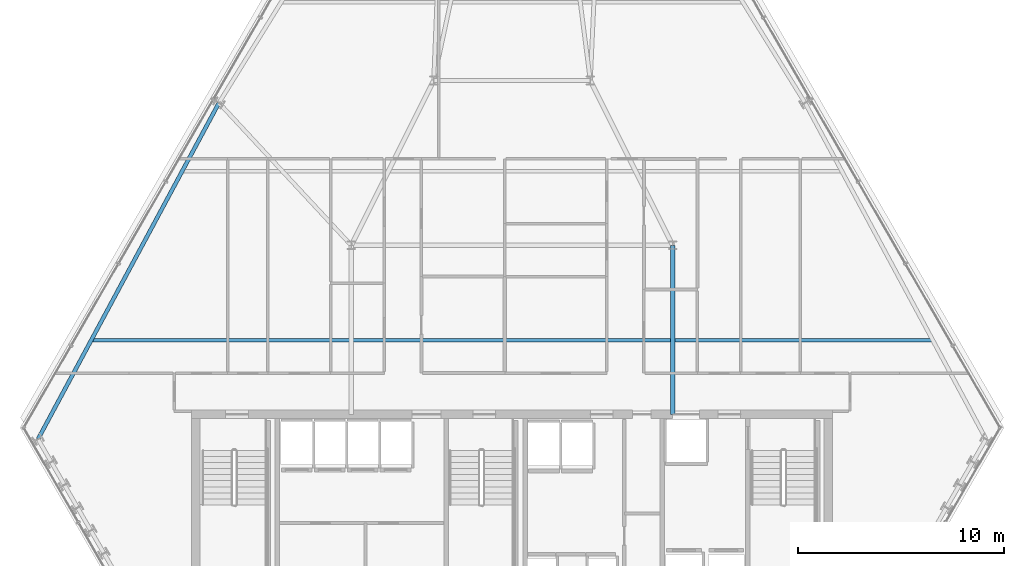
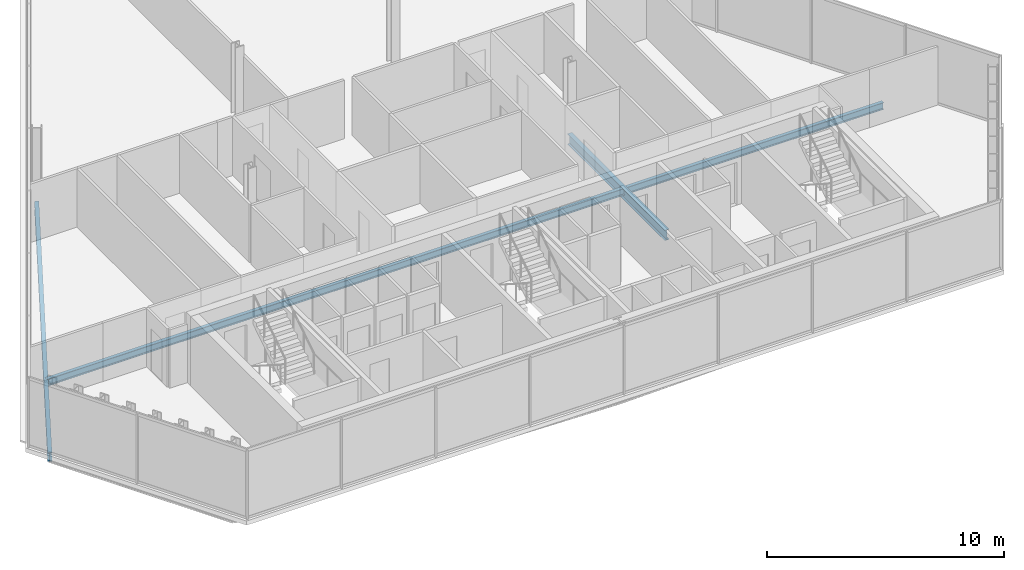
# One storey, part 10 of 33: 3 beams.
"""IFC4 building model written with IfcOpenShell, lengths in metres."""

import ifcopenshell
import ifcopenshell.guid

model = None  # the IFC model being written
_history = None  # IfcOwnerHistory: only IFC2X3 demands one
_inside = {}  # id of a spatial element -> (the spatial element, [elements in it])
_under = {}  # id of a project, library or spatial element -> (it, [spatial elements below it])
_declared = {}  # id of a project -> (the project, [libraries it declares])
_typed = {}  # id of a type object -> (the type object, [elements of that type])
_made_of = {}  # id of a material, layer set ... -> (it, [elements and type objects made of it])


def new_model(schema):
    """Start an empty IFC model of exactly this schema.

    Asked for "IFC4X3", IfcOpenShell would pick the latest addendum, in which some entities
    have other attributes; the version numbers below select the first issue.
    IFC2X3 requires an IfcOwnerHistory on every rooted entity: one is made here for all.
    """
    global model, _history
    if schema == "IFC4X3":
        model = ifcopenshell.file(schema_version=(4, 3, 0, 0))
    else:
        model = ifcopenshell.file(schema=schema)
    _inside.clear()
    _under.clear()
    _declared.clear()
    _typed.clear()
    _made_of.clear()
    _history = None
    if model.schema == "IFC2X3":
        org = make("IfcOrganization", Name="unknown")
        user = make(
            "IfcPersonAndOrganization",
            ThePerson=make("IfcPerson", FamilyName="unknown"),
            TheOrganization=org,
        )
        app = make(
            "IfcApplication",
            ApplicationDeveloper=org,
            Version="unknown",
            ApplicationFullName="unknown",
            ApplicationIdentifier="unknown",
        )
        _history = make(
            "IfcOwnerHistory",
            OwningUser=user,
            OwningApplication=app,
            ChangeAction="ADDED",
            CreationDate=0,
        )
    return model


def make(cls, **values):
    """One entity of the class cls with the attributes given. An attribute that is None is left unset."""
    return model.create_entity(
        cls, **{name: value for name, value in values.items() if value is not None}
    )


def rooted(cls, **values):
    """An entity with a GlobalId (a new one), such as an element, a storey or a relation."""
    return make(cls, GlobalId=ifcopenshell.guid.new(), OwnerHistory=_history, **values)


def si_unit(unit_type, name, prefix=None):
    """IfcSIUnit, for example si_unit("LENGTHUNIT", "METRE", prefix="MILLI")."""
    return make("IfcSIUnit", UnitType=unit_type, Prefix=prefix, Name=name)


def assignment(units):
    """IfcUnitAssignment: the units of a project."""
    return None if units is None else make("IfcUnitAssignment", Units=units)


def point(xyz):
    """IfcCartesianPoint."""
    return None if xyz is None else make("IfcCartesianPoint", Coordinates=xyz)


def direction(xyz):
    """IfcDirection."""
    return None if xyz is None else make("IfcDirection", DirectionRatios=xyz)


def frame(location, z_axis=None, x_axis=None):
    """IfcAxis2Placement3D, a coordinate frame: its origin and axes. An axis left out is left unset."""
    return make(
        "IfcAxis2Placement3D",
        Location=point(location),
        Axis=direction(z_axis),
        RefDirection=direction(x_axis),
    )


def frame_2d(location, x_axis=None):
    """IfcAxis2Placement2D, a coordinate frame in the plane: its origin and x axis."""
    return make(
        "IfcAxis2Placement2D", Location=point(location), RefDirection=direction(x_axis)
    )


def origin():
    """The frame at (0, 0, 0) with its axes left unset."""
    return frame((0.0, 0.0, 0.0))


def origin_2d():
    """The frame at (0, 0) in the plane with its x axis left unset."""
    return frame_2d((0.0, 0.0))


def place(relative_to, where):
    """IfcLocalPlacement: puts the frame where relative to a parent placement (None: the world)."""
    return make(
        "IfcLocalPlacement", PlacementRelTo=relative_to, RelativePlacement=where
    )


def context(
    kind, dimensions, precision=None, world=None, true_north=None, identifier=None
):
    """IfcGeometricRepresentationContext, for example the 3D "Model" context."""
    return make(
        "IfcGeometricRepresentationContext",
        ContextIdentifier=identifier,
        ContextType=kind,
        CoordinateSpaceDimension=dimensions,
        Precision=precision,
        WorldCoordinateSystem=world,
        TrueNorth=true_north,
    )


def subcontext(parent, identifier, kind, view, scale=None):
    """IfcGeometricRepresentationSubContext, for example "Body" below "Model"."""
    return make(
        "IfcGeometricRepresentationSubContext",
        ContextIdentifier=identifier,
        ContextType=kind,
        ParentContext=parent,
        TargetScale=scale,
        TargetView=view,
    )


def project(units=None, contexts=None):
    """IfcProject with its units and contexts."""
    return rooted(
        "IfcProject",
        Name="project",
        RepresentationContexts=contexts,
        UnitsInContext=assignment(units),
    )


def spatial(cls, under=None, at=None, **own):
    """A site, building, storey or space (cls), placed at a placement, below another one or the project."""
    s = rooted(cls, ObjectPlacement=at, **own)
    if under is not None:
        _under.setdefault(under.id(), (under, []))[1].append(s)
    return s


def profile(cls, at=None, kind="AREA", **sizes):
    """A parametric profile (cls). Its sizes go by their IFC names, for example OverallWidth=200.0."""
    return make(cls, ProfileType=kind, Position=at, **sizes)


def i_section(**sizes):
    """IfcIShapeProfileDef."""
    return profile("IfcIShapeProfileDef", **sizes)


def extrude(swept, where, along, depth):
    """IfcExtrudedAreaSolid: the profile swept, set in the frame where, extruded along a direction by depth."""
    return make(
        "IfcExtrudedAreaSolid",
        SweptArea=swept,
        Position=where,
        ExtrudedDirection=direction(along),
        Depth=depth,
    )


def shape(context_of_items, identifier, shape_type, items):
    """IfcShapeRepresentation: the items that make up one representation, for example the "Body"."""
    return make(
        "IfcShapeRepresentation",
        ContextOfItems=context_of_items,
        RepresentationIdentifier=identifier,
        RepresentationType=shape_type,
        Items=items,
    )


def material(Name=None, Category=None):
    """IfcMaterial."""
    return make("IfcMaterial", Name=Name, Category=Category)


def material_profile(
    of_material, cross_section, Name=None, Category=None, Priority=None
):
    """IfcMaterialProfile: a cross section and its material."""
    return make(
        "IfcMaterialProfile",
        Name=Name,
        Material=of_material,
        Profile=cross_section,
        Priority=Priority,
        Category=Category,
    )


def profile_set(profiles, Name=None, composite=None):
    """IfcMaterialProfileSet."""
    return make(
        "IfcMaterialProfileSet",
        Name=Name,
        MaterialProfiles=profiles,
        CompositeProfile=composite,
    )


def made_of(thing, what):
    """Note that an element or type object is made of a material, layer set ...; save() writes the relation."""
    if what is not None:
        _made_of.setdefault(what.id(), (what, []))[1].append(thing)
    return thing


def type_object(cls, material=None, **own):
    """A type object (cls), such as IfcWallType, which elements share."""
    return made_of(rooted(cls, **own), material)


def element(
    cls,
    number,
    at=None,
    inside=None,
    cuts=None,
    type_object=None,
    material=None,
    context=None,
    identifier="Body",
    shape_type=None,
    held_by="IfcProductDefinitionShape",
    body=None,
    shapes=None,
    **own,
):
    """One element of the class cls, such as IfcWall. Its Tag is "e" and its number.

    at: its placement. inside: the storey or other place that contains it. cuts: it is an
    opening in that element (IfcRelVoidsElement). A single representation is given by context,
    identifier, shape_type and body (its items); several are given by shapes. held_by: the class
    of the entity that holds the representations. save() writes the other relations.
    """
    e = rooted(cls, Tag="e%d" % number, ObjectPlacement=at, **own)
    if body is not None:
        shapes = [shape(context, identifier, shape_type, body)]
    if shapes is not None:
        e.Representation = make(held_by, Representations=shapes)
    if inside is not None:
        _inside.setdefault(inside.id(), (inside, []))[1].append(e)
    if cuts is not None:
        rooted(
            "IfcRelVoidsElement", RelatingBuildingElement=cuts, RelatedOpeningElement=e
        )
    if type_object is not None:
        _typed.setdefault(type_object.id(), (type_object, []))[1].append(e)
    return made_of(e, material)


def aggregate(whole, parts):
    """IfcRelAggregates: a whole, such as a stair, and the parts it consists of."""
    return rooted("IfcRelAggregates", RelatingObject=whole, RelatedObjects=parts)


def save(model, path):
    """Write the relations noted so far, then the file.

    IfcRelAggregates (storeys below a building ...), IfcRelContainedInSpatialStructure (elements
    in a storey), IfcRelDefinesByType, IfcRelAssociatesMaterial and IfcRelDeclares: one each for
    every whole, place, type object, material and project.
    """
    for whole, parts in _under.values():
        aggregate(whole, parts)
    for where, things in _inside.values():
        rooted(
            "IfcRelContainedInSpatialStructure",
            RelatedElements=things,
            RelatingStructure=where,
        )
    for kind, things in _typed.values():
        rooted("IfcRelDefinesByType", RelatedObjects=things, RelatingType=kind)
    for what, things in _made_of.values():
        rooted("IfcRelAssociatesMaterial", RelatedObjects=things, RelatingMaterial=what)
    for by, libraries in _declared.values():
        rooted("IfcRelDeclares", RelatingContext=by, RelatedDefinitions=libraries)
    model.write(path)


model = new_model("IFC4")

# Units and contexts
model_context = context("Model", 3, precision=1e-05, world=origin(), true_north=direction((0.0, 1.0)))
body_context = subcontext(model_context, "Body", "Model", "MODEL_VIEW")
ifc_project = project(units=[si_unit("LENGTHUNIT", "METRE"), si_unit("AREAUNIT", "SQUARE_METRE"), si_unit("VOLUMEUNIT", "CUBIC_METRE"), si_unit("PLANEANGLEUNIT", "RADIAN"), si_unit("MASSUNIT", "GRAM", prefix="KILO")], contexts=[model_context])

# Site, building, storey
site_placement = place(None, origin())
site = spatial("IfcSite", under=ifc_project, at=site_placement, CompositionType="ELEMENT")
building_placement = place(site_placement, origin())
building = spatial("IfcBuilding", under=site, at=building_placement, Name="Ndaravel Arena Tower", CompositionType="ELEMENT")
storey_placement = place(building_placement, frame((0.0, 0.0, 161.199951171875)))
storey = spatial("IfcBuildingStorey", under=building, at=storey_placement, Name="L38", CompositionType="ELEMENT", Elevation=161.199951171875)

# Beams
ifc_material_1 = material(Name="Steel S355", Category="steel")
ifc_material_profile_1 = material_profile(ifc_material_1, i_section(OverallWidth=0.210693359375, OverallDepth=0.53955078125, WebThickness=0.01171875, FlangeThickness=0.018798828125, FilletRadius=0.0126953125, at=origin_2d()), Name="UB 533x210x109")
ifc_profile_set_1 = profile_set([ifc_material_profile_1], Name="Steel S355")
beam_type_1 = type_object("IfcBeamType", Name="BM-GIRD-UB533", PredefinedType="BEAM", material=ifc_profile_set_1)
beam_1_placement = place(storey_placement, frame((49.800048828125, 14.97998046875, -0.48974609375), z_axis=(0.0, 1.0, 0.0), x_axis=(-1.0, 0.0, 0.0)))
element("IfcBeam", 1, at=beam_1_placement, inside=storey, type_object=beam_type_1, Name="L38 Spine Link Girder SLG-02", PredefinedType="BEAM", context=body_context, shape_type="SweptSolid", body=[
    extrude(i_section(OverallWidth=0.210693359375, OverallDepth=0.53955078125, WebThickness=0.01171875, FlangeThickness=0.018798828125, FilletRadius=0.0126953125, at=origin_2d()), origin(), (0.0, 0.0, 1.0), 8.219970703125),
])
ifc_material_2 = material(Name="Steel S355", Category="steel")
ifc_material_profile_2 = material_profile(ifc_material_2, i_section(OverallWidth=0.172119140625, OverallDepth=0.35791015625, WebThickness=0.008056640625, FlangeThickness=0.012939453125, FilletRadius=0.01025390625, at=origin_2d()), Name="UB 356x171x57")
ifc_profile_set_2 = profile_set([ifc_material_profile_2], Name="Steel S355")
beam_type_2 = type_object("IfcBeamType", Name="BM-JOIST-UB356", PredefinedType="JOIST", material=ifc_profile_set_2)
beam_2_placement = place(storey_placement, frame((21.580322265625, 18.60009765625, -0.39892578125), z_axis=(1.0, 0.0, 0.0), x_axis=(0.0, 1.0, 0.0)))
element("IfcBeam", 2, at=beam_2_placement, inside=storey, type_object=beam_type_2, Name="L38 Composite Floor Joist FJ-01", PredefinedType="JOIST", context=body_context, shape_type="SweptSolid", body=[
    extrude(i_section(OverallWidth=0.172119140625, OverallDepth=0.35791015625, WebThickness=0.008056640625, FlangeThickness=0.012939453125, FilletRadius=0.01025390625, at=origin_2d()), origin(), (0.0, 0.0, 1.0), 40.83935546875),
])
ifc_material_3 = material(Name="Steel S355", Category="steel")
ifc_material_profile_3 = material_profile(ifc_material_3, i_section(OverallWidth=0.18994140625, OverallDepth=0.449951171875, WebThickness=0.009521484375, FlangeThickness=0.0146484375, FilletRadius=0.02099609375, at=origin_2d()), Name="IPE 450")
ifc_profile_set_3 = profile_set([ifc_material_profile_3], Name="Steel S355")
beam_type_3 = type_object("IfcBeamType", Name="BM-SPAN-IPE450", PredefinedType="SPANDREL", material=ifc_profile_set_3)
beam_3_placement = place(storey_placement, frame((27.77685546875, 30.114990234375, -0.445068359375), z_axis=(-0.473873575868, -0.880592887829, 0.0), x_axis=(0.880592887829, -0.473873575868, 0.0)))
element("IfcBeam", 3, at=beam_3_placement, inside=storey, type_object=beam_type_3, Name="L38 Perimeter Spandrel Beam SP-19", PredefinedType="SPANDREL", context=body_context, shape_type="SweptSolid", body=[
    extrude(i_section(OverallWidth=0.18994140625, OverallDepth=0.449951171875, WebThickness=0.009521484375, FlangeThickness=0.0146484375, FilletRadius=0.02099609375, at=origin_2d()), origin(), (0.0, 0.0, 1.0), 18.533935546875),
])

save(model, "model.ifc")
